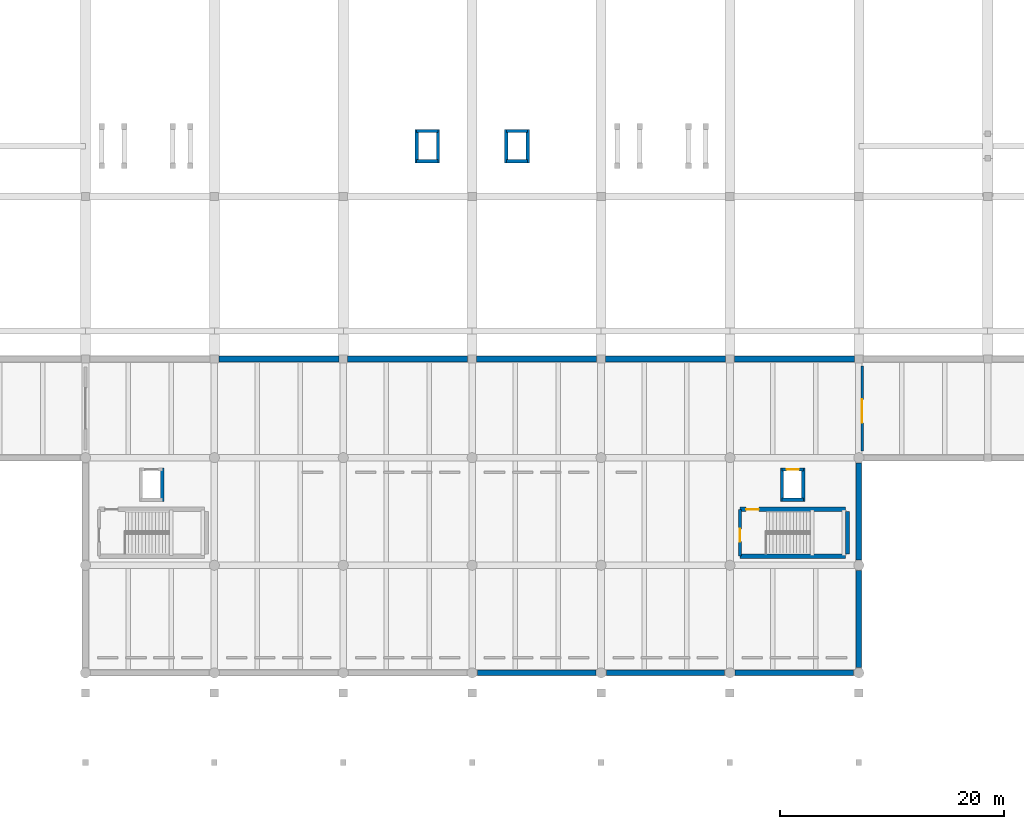
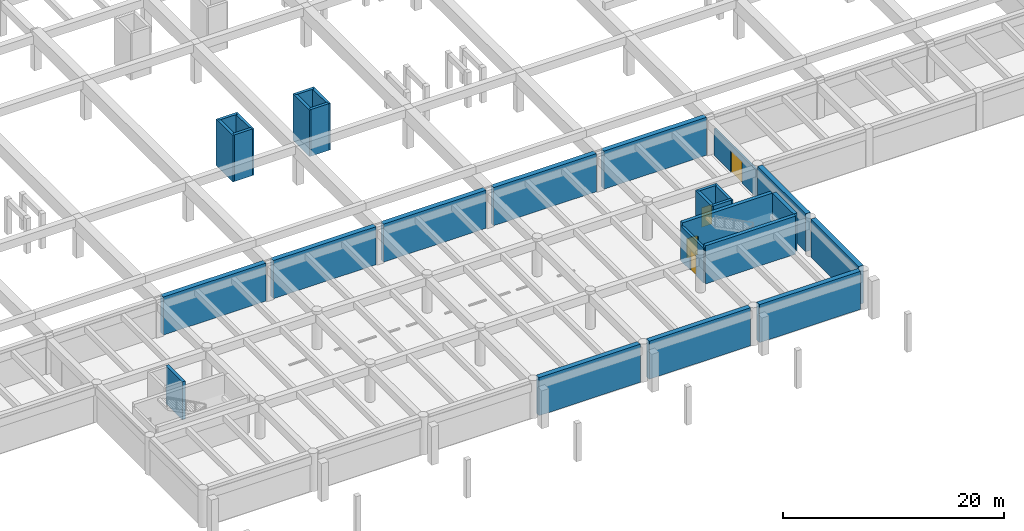
# One storey, part 10 of 20: 28 walls, 4 doors, 4 openings.
"""IFC4 building model written with IfcOpenShell, lengths in metres."""

from ifc_helpers import new_model, si_unit, direction, frame, frame_2d, origin, place, context, subcontext, project, spatial, rectangle, extrude, material, layer, layer_set, type_object, element, fill, save


model = new_model("IFC4")

# Units and contexts
model_context = context("Model", 3, precision=1e-05, world=origin(), true_north=direction((0.0, 1.0)))
body_context = subcontext(model_context, "Body", "Model", "MODEL_VIEW")
ifc_project = project(units=[si_unit("LENGTHUNIT", "METRE"), si_unit("AREAUNIT", "SQUARE_METRE"), si_unit("VOLUMEUNIT", "CUBIC_METRE"), si_unit("PLANEANGLEUNIT", "RADIAN"), si_unit("MASSUNIT", "GRAM", prefix="KILO")], contexts=[model_context])

# Site, building, storey
site_placement = place(None, origin())
site = spatial("IfcSite", under=ifc_project, at=site_placement, CompositionType="ELEMENT")
building_placement = place(site_placement, origin())
building = spatial("IfcBuilding", under=site, at=building_placement, Name="Ologun Quay Terminus", CompositionType="ELEMENT")
storey_placement = place(building_placement, frame((0.0, 0.0, -4.199951171875)))
storey = spatial("IfcBuildingStorey", under=building, at=storey_placement, Name="B01", CompositionType="ELEMENT", Elevation=-4.199951171875)

# Walls
ifc_material_1 = material(Name="Concrete C35/45", Category="concrete")
ifc_layer_1 = layer(ifc_material_1, 0.5)
ifc_layer_set_1 = layer_set([ifc_layer_1], Name="Concrete C35/45")
wall_type_1 = type_object("IfcWallType", Name="Basement Perimeter Retaining Wall 500", PredefinedType="SHEAR", material=ifc_layer_set_1)
for number, where, z_axis, x_axis, name in (
    (1, (92.469970703125, 8.0, 0.0), (0.0, 0.0, 1.0), (1.0, 0.0, 0.0), "Retaining Wall S5-9 B01"),
    (2, (103.969970703125, 8.0, 0.0), (0.0, 0.0, 1.0), (1.0, 0.0, 0.0), "Retaining Wall S5-10 B01"),
    (3, (115.469970703125, 8.0, 0.0), (0.0, 0.0, 1.0), (1.0, 0.0, 0.0), "Retaining Wall S5-11 B01"),
):
    element("IfcWall", number, at=place(storey_placement, frame(where, z_axis=z_axis, x_axis=x_axis)), inside=storey, type_object=wall_type_1, Name=name, PredefinedType="SHEAR", context=body_context, shape_type="SweptSolid", body=[
        extrude(rectangle(XDim=10.56005859375, YDim=0.5, at=frame_2d((5.280029296875, 0.0))), origin(), (0.0, 0.0, 1.0), 4.199951171875),
    ])
for number, where, z_axis, x_axis, name in (
    (4, (126.5, 8.469970703125, 0.0), (0.0, 0.0, 1.0), (0.0, 1.0, 0.0), "Retaining Wall S6-Y1 B01"),
    (5, (126.5, 18.070068359375, 0.0), (0.0, 0.0, 1.0), (0.0, 1.0, 0.0), "Retaining Wall S6-Y2 B01"),
):
    element("IfcWall", number, at=place(storey_placement, frame(where, z_axis=z_axis, x_axis=x_axis)), inside=storey, type_object=wall_type_1, Name=name, PredefinedType="SHEAR", context=body_context, shape_type="SweptSolid", body=[
        extrude(rectangle(XDim=8.659912109375, YDim=0.5, at=frame_2d((4.330078125, 0.0))), origin(), (0.0, 0.0, 1.0), 4.199951171875),
    ])
for number, where, z_axis, x_axis, name in (
    (6, (69.39501953125, 36.0, 0.0), (0.0, 0.0, 1.0), (1.0, 0.0, 0.0), "Retaining Wall TS-7 B01"),
    (7, (80.89501953125, 36.0, 0.0), (0.0, 0.0, 1.0), (1.0, 0.0, 0.0), "Retaining Wall TS-8 B01"),
    (8, (92.39501953125, 36.0, 0.0), (0.0, 0.0, 1.0), (1.0, 0.0, 0.0), "Retaining Wall TS-9 B01"),
    (9, (103.89501953125, 36.0, 0.0), (0.0, 0.0, 1.0), (1.0, 0.0, 0.0), "Retaining Wall TS-10 B01"),
    (10, (115.39501953125, 36.0, 0.0), (0.0, 0.0, 1.0), (1.0, 0.0, 0.0), "Retaining Wall TS-11 B01"),
):
    element("IfcWall", number, at=place(storey_placement, frame(where, z_axis=z_axis, x_axis=x_axis)), inside=storey, type_object=wall_type_1, Name=name, PredefinedType="SHEAR", context=body_context, shape_type="SweptSolid", body=[
        extrude(rectangle(XDim=10.7099609375, YDim=0.5, at=frame_2d((5.35498046875, 0.0))), origin(), (0.0, 0.0, 1.0), 4.199951171875),
    ])

# Wall, opening, door
ifc_material_2 = material(Name="Concrete C40/50", Category="concrete")
ifc_layer_2 = layer(ifc_material_2, 0.239990234375)
ifc_layer_set_2 = layer_set([ifc_layer_2], Name="Concrete C40/50")
wall_type_2 = type_object("IfcWallType", Name="Fire Compartment Blockwork Wall 240", PredefinedType="SOLIDWALL", material=ifc_layer_set_2)
wall_1_placement = place(storey_placement, frame((115.89990234375, 18.419921875, 0.0), z_axis=(0.0, 0.0, 1.0), x_axis=(0.0, 1.0, 0.0)))
wall_1 = element("IfcWall", 11, at=wall_1_placement, inside=storey, type_object=wall_type_2, Name="PW-01 Partition ST-S4-W", PredefinedType="SOLIDWALL", context=body_context, shape_type="SweptSolid", body=[
    extrude(rectangle(XDim=4.16015625, YDim=0.239990234375, at=frame_2d((2.080078125, 0.0))), origin(), (0.0, 0.0, 1.0), 3.85986328125),
])
opening_1_placement = place(wall_1_placement, frame((1.300048828125, 0.0, 0.0)))
opening_1 = element("IfcOpeningElement", 12, at=opening_1_placement, cuts=wall_1, Name="Opening ID-263", PredefinedType="OPENING", context=body_context, shape_type="SweptSolid", body=[
    extrude(rectangle(XDim=1.1298828125, YDim=2.14990234375, at=frame_2d((0.56494140625, 1.074951171875))), frame((0.0, 0.1298828125, 0.0), z_axis=(0.0, -1.0, 0.0), x_axis=(1.0, 0.0, 0.0)), (0.0, 0.0, 1.0), 0.260009765625),
])
ifc_material_3 = material(Name="Steel S355", Category="steel")
door_type_1 = type_object("IfcDoorType", Name="Stairwell Fire Escape Door 1130x2150", OperationType="SINGLE_SWING_LEFT", PredefinedType="DOOR", material=ifc_material_3)
door_1_placement = place(opening_1_placement, frame((0.56494140625, 0.0, 0.0), z_axis=(0.0, 0.0, 1.0), x_axis=(-1.0, 0.0, 0.0)))
door_1 = element("IfcDoor", 13, at=door_1_placement, inside=storey, type_object=door_type_1, Name="FD-01 Door ID-263", OperationType="SINGLE_SWING_LEFT", OverallHeight=2.14990234375, OverallWidth=1.1298828125, PredefinedType="DOOR", context=body_context, shape_type="SweptSolid", body=[
    extrude(rectangle(XDim=1.1298828125, YDim=2.14990234375, at=frame_2d((0.0, 1.074951171875))), frame((0.0, 0.02490234375, 0.0), z_axis=(0.0, -1.0, 0.0), x_axis=(1.0, 0.0, 0.0)), (0.0, 0.0, 1.0), 0.050048828125),
])
fill(opening_1, door_1)

# Walls
ifc_material_4 = material(Name="Concrete C40/50", Category="concrete")
ifc_layer_3 = layer(ifc_material_4, 0.300048828125)
ifc_layer_set_3 = layer_set([ifc_layer_3], Name="Concrete C40/50")
wall_type_3 = type_object("IfcWallType", Name="Lift Shaft Structural Shear Wall 300", PredefinedType="SHEAR", material=ifc_layer_set_3)
wall_2_placement = place(storey_placement, frame((64.35009765625, 23.300048828125, 0.0), z_axis=(0.0, 0.0, 1.0), x_axis=(0.0, 1.0, 0.0)))
element("IfcWall", 14, at=wall_2_placement, inside=storey, type_object=wall_type_3, Name="Lift PL-S1 Shaft Wall E B01", PredefinedType="SHEAR", context=body_context, shape_type="SweptSolid", body=[
    extrude(rectangle(XDim=3.0, YDim=0.300048828125, at=frame_2d((1.5, 0.0))), origin(), (0.0, 0.0, 1.0), 4.199951171875),
])
wall_3_placement = place(storey_placement, frame((119.64990234375, 23.449951171875, 0.0), z_axis=(0.0, 0.0, 1.0), x_axis=(1.0, 0.0, 0.0)))
element("IfcWall", 15, at=wall_3_placement, inside=storey, type_object=wall_type_3, Name="Lift PL-S2 Shaft Wall S B01", PredefinedType="SHEAR", context=body_context, shape_type="SweptSolid", body=[
    extrude(rectangle(XDim=1.900146484375, YDim=0.300048828125, at=frame_2d((0.9501953125, 0.0))), origin(), (0.0, 0.0, 1.0), 4.199951171875),
])

# Wall, opening, door
wall_4_placement = place(storey_placement, frame((119.64990234375, 26.14990234375, 0.0), z_axis=(0.0, 0.0, 1.0), x_axis=(1.0, 0.0, 0.0)))
wall_4 = element("IfcWall", 16, at=wall_4_placement, inside=storey, type_object=wall_type_3, Name="Lift PL-S2 Shaft Wall N B01", PredefinedType="SHEAR", context=body_context, shape_type="SweptSolid", body=[
    extrude(rectangle(XDim=1.900146484375, YDim=0.300048828125, at=frame_2d((0.9501953125, 0.0))), origin(), (0.0, 0.0, 1.0), 4.199951171875),
])
opening_2_placement = place(wall_4_placement, frame((0.39990234375, 0.0, 0.0)))
opening_2 = element("IfcOpeningElement", 17, at=opening_2_placement, cuts=wall_4, Name="Opening ID-053", PredefinedType="OPENING", context=body_context, shape_type="SweptSolid", body=[
    extrude(rectangle(XDim=1.10009765625, YDim=2.14990234375, at=frame_2d((0.550048828125, 1.074951171875))), frame((0.0, 0.16015625, 0.0), z_axis=(0.0, -1.0, 0.0), x_axis=(1.0, 0.0, 0.0)), (0.0, 0.0, 1.0), 0.320068359375),
])
ifc_material_5 = material(Name="Steel S355", Category="steel")
door_type_2 = type_object("IfcDoorType", Name="Lift Landing Sliding Door 1100x2150", OperationType="SLIDING_TO_LEFT", PredefinedType="DOOR", material=ifc_material_5)
door_2_placement = place(opening_2_placement, origin())
door_2 = element("IfcDoor", 18, at=door_2_placement, inside=storey, type_object=door_type_2, Name="LD-01 Door ID-053", OperationType="SLIDING_TO_LEFT", OverallHeight=2.14990234375, OverallWidth=1.10009765625, PredefinedType="DOOR", context=body_context, shape_type="SweptSolid", body=[
    extrude(rectangle(XDim=1.10009765625, YDim=2.14990234375, at=frame_2d((0.550048828125, 1.074951171875))), frame((0.0, 0.02490234375, 0.0), z_axis=(0.0, -1.0, 0.0), x_axis=(1.0, 0.0, 0.0)), (0.0, 0.0, 1.0), 0.050048828125),
])
fill(opening_2, door_2)

# Walls
for number, where, z_axis, x_axis, name in (
    (19, (119.64990234375, 23.300048828125, 0.0), (0.0, 0.0, 1.0), (0.0, 1.0, 0.0), "Lift PL-S2 Shaft Wall W B01"),
    (20, (121.550048828125, 23.300048828125, 0.0), (0.0, 0.0, 1.0), (0.0, 1.0, 0.0), "Lift PL-S2 Shaft Wall E B01"),
):
    element("IfcWall", number, at=place(storey_placement, frame(where, z_axis=z_axis, x_axis=x_axis)), inside=storey, type_object=wall_type_3, Name=name, PredefinedType="SHEAR", context=body_context, shape_type="SweptSolid", body=[
        extrude(rectangle(XDim=3.0, YDim=0.300048828125, at=frame_2d((1.5, 0.0))), origin(), (0.0, 0.0, 1.0), 4.199951171875),
    ])
for number, where, z_axis, x_axis, name in (
    (21, (87.050048828125, 53.64990234375, 0.0), (0.0, 0.0, 1.0), (1.0, 0.0, 0.0), "Lift PL-P1 Shaft Wall S B01"),
    (22, (87.050048828125, 56.35009765625, 0.0), (0.0, 0.0, 1.0), (1.0, 0.0, 0.0), "Lift PL-P1 Shaft Wall N B01"),
):
    element("IfcWall", number, at=place(storey_placement, frame(where, z_axis=z_axis, x_axis=x_axis)), inside=storey, type_object=wall_type_3, Name=name, PredefinedType="SHEAR", context=body_context, shape_type="SweptSolid", body=[
        extrude(rectangle(XDim=1.89990234375, YDim=0.300048828125, at=frame_2d((0.949951171875, 0.0))), origin(), (0.0, 0.0, 1.0), 5.14990234375),
    ])
for number, where, z_axis, x_axis, name in (
    (23, (87.050048828125, 53.5, 0.0), (0.0, 0.0, 1.0), (0.0, 1.0, 0.0), "Lift PL-P1 Shaft Wall W B01"),
    (24, (88.949951171875, 53.5, 0.0), (0.0, 0.0, 1.0), (0.0, 1.0, 0.0), "Lift PL-P1 Shaft Wall E B01"),
):
    element("IfcWall", number, at=place(storey_placement, frame(where, z_axis=z_axis, x_axis=x_axis)), inside=storey, type_object=wall_type_3, Name=name, PredefinedType="SHEAR", context=body_context, shape_type="SweptSolid", body=[
        extrude(rectangle(XDim=3.0, YDim=0.300048828125, at=frame_2d((1.5, 0.0))), origin(), (0.0, 0.0, 1.0), 5.14990234375),
    ])
for number, where, z_axis, x_axis, name in (
    (25, (95.050048828125, 53.64990234375, 0.0), (0.0, 0.0, 1.0), (1.0, 0.0, 0.0), "Lift PL-P2 Shaft Wall S B01"),
    (26, (95.050048828125, 56.35009765625, 0.0), (0.0, 0.0, 1.0), (1.0, 0.0, 0.0), "Lift PL-P2 Shaft Wall N B01"),
):
    element("IfcWall", number, at=place(storey_placement, frame(where, z_axis=z_axis, x_axis=x_axis)), inside=storey, type_object=wall_type_3, Name=name, PredefinedType="SHEAR", context=body_context, shape_type="SweptSolid", body=[
        extrude(rectangle(XDim=1.89990234375, YDim=0.300048828125, at=frame_2d((0.949951171875, 0.0))), origin(), (0.0, 0.0, 1.0), 5.14990234375),
    ])
for number, where, z_axis, x_axis, name in (
    (27, (95.050048828125, 53.5, 0.0), (0.0, 0.0, 1.0), (0.0, 1.0, 0.0), "Lift PL-P2 Shaft Wall W B01"),
    (28, (96.949951171875, 53.5, 0.0), (0.0, 0.0, 1.0), (0.0, 1.0, 0.0), "Lift PL-P2 Shaft Wall E B01"),
):
    element("IfcWall", number, at=place(storey_placement, frame(where, z_axis=z_axis, x_axis=x_axis)), inside=storey, type_object=wall_type_3, Name=name, PredefinedType="SHEAR", context=body_context, shape_type="SweptSolid", body=[
        extrude(rectangle(XDim=3.0, YDim=0.300048828125, at=frame_2d((1.5, 0.0))), origin(), (0.0, 0.0, 1.0), 5.14990234375),
    ])

# Wall, opening, door
ifc_material_6 = material(Name="Concrete C40/50", Category="concrete")
ifc_layer_4 = layer(ifc_material_6, 0.219970703125)
ifc_layer_set_4 = layer_set([ifc_layer_4], Name="Concrete C40/50")
wall_type_4 = type_object("IfcWallType", Name="Plant & Substation Acoustic Wall 220", PredefinedType="SOLIDWALL", material=ifc_layer_set_4)
wall_5_placement = place(storey_placement, frame((126.800048828125, 27.800048828125, 0.0), z_axis=(0.0, 0.0, 1.0), x_axis=(0.0, 1.0, 0.0)))
wall_5 = element("IfcWall", 29, at=wall_5_placement, inside=storey, type_object=wall_type_4, Name="PW-08 Partition B01-Substation-W", PredefinedType="SOLIDWALL", context=body_context, shape_type="SweptSolid", body=[
    extrude(rectangle(XDim=7.599853515625, YDim=0.219970703125, at=frame_2d((3.7998046875, 0.0))), origin(), (0.0, 0.0, 1.0), 2.97998046875),
])
opening_3_placement = place(wall_5_placement, frame((2.5, 0.0, 0.0)))
opening_3 = element("IfcOpeningElement", 30, at=opening_3_placement, cuts=wall_5, Name="Opening ID-292", PredefinedType="OPENING", context=body_context, shape_type="SweptSolid", body=[
    extrude(rectangle(XDim=2.10009765625, YDim=2.39990234375, at=frame_2d((1.050048828125, 1.199951171875))), frame((0.0, 0.1201171875, 0.0), z_axis=(0.0, -1.0, 0.0), x_axis=(1.0, 0.0, 0.0)), (0.0, 0.0, 1.0), 0.239990234375),
])
ifc_material_7 = material(Name="Steel S355", Category="steel")
door_type_3 = type_object("IfcDoorType", Name="Substation Transformer Bay Door 2100x2400", OperationType="DOUBLE_DOOR_SINGLE_SWING", PredefinedType="DOOR", material=ifc_material_7)
door_3_placement = place(opening_3_placement, origin())
door_3 = element("IfcDoor", 31, at=door_3_placement, inside=storey, type_object=door_type_3, Name="FD-07 Door ID-292", OperationType="DOUBLE_DOOR_SINGLE_SWING", OverallHeight=2.39990234375, OverallWidth=2.10009765625, PredefinedType="DOOR", context=body_context, shape_type="SweptSolid", body=[
    extrude(rectangle(XDim=2.10009765625, YDim=2.39990234375, at=frame_2d((1.050048828125, 1.199951171875))), frame((0.0, 0.02490234375, 0.0), z_axis=(0.0, -1.0, 0.0), x_axis=(1.0, 0.0, 0.0)), (0.0, 0.0, 1.0), 0.050048828125),
])
fill(opening_3, door_3)

# Wall
ifc_material_8 = material(Name="Concrete C40/50", Category="concrete")
ifc_layer_5 = layer(ifc_material_8, 0.3798828125)
ifc_layer_set_5 = layer_set([ifc_layer_5], Name="Concrete C40/50")
wall_type_5 = type_object("IfcWallType", Name="Platform Spine Shear Wall 380", PredefinedType="SHEAR", material=ifc_layer_set_5)
wall_6_placement = place(storey_placement, frame((115.89990234375, 18.409912109375, 0.0), z_axis=(0.0, 0.0, 1.0), x_axis=(1.0, 0.0, 0.0)))
element("IfcWall", 32, at=wall_6_placement, inside=storey, type_object=wall_type_5, Name="Station Core 4 S Shear Wall B01", PredefinedType="SHEAR", context=body_context, shape_type="SweptSolid", body=[
    extrude(rectangle(XDim=9.400146484375, YDim=0.3798828125, at=frame_2d((4.7001953125, 0.0))), origin(), (0.0, 0.0, 1.0), 4.199951171875),
])

# Wall, opening, door
wall_7_placement = place(storey_placement, frame((115.89990234375, 22.590087890625, 0.0), z_axis=(0.0, 0.0, 1.0), x_axis=(1.0, 0.0, 0.0)))
wall_7 = element("IfcWall", 33, at=wall_7_placement, inside=storey, type_object=wall_type_5, Name="Station Core 4 N Shear Wall B01", PredefinedType="SHEAR", context=body_context, shape_type="SweptSolid", body=[
    extrude(rectangle(XDim=9.400146484375, YDim=0.3798828125, at=frame_2d((4.7001953125, 0.0))), origin(), (0.0, 0.0, 1.0), 4.199951171875),
])
opening_4_placement = place(wall_7_placement, frame((0.550048828125, 0.0, 0.0)))
opening_4 = element("IfcOpeningElement", 34, at=opening_4_placement, cuts=wall_7, Name="Opening ID-264", PredefinedType="OPENING", context=body_context, shape_type="SweptSolid", body=[
    extrude(rectangle(XDim=1.1298828125, YDim=2.14990234375, at=frame_2d((0.56494140625, 1.074951171875))), frame((0.0, 0.199951171875, 0.0), z_axis=(0.0, -1.0, 0.0), x_axis=(1.0, 0.0, 0.0)), (0.0, 0.0, 1.0), 0.39990234375),
])
door_4_placement = place(opening_4_placement, frame((0.56494140625, 0.0, 0.0), z_axis=(0.0, 0.0, 1.0), x_axis=(-1.0, 0.0, 0.0)))
door_4 = element("IfcDoor", 35, at=door_4_placement, inside=storey, type_object=door_type_1, Name="FD-01 Door ID-264", OperationType="SINGLE_SWING_LEFT", OverallHeight=2.14990234375, OverallWidth=1.1298828125, PredefinedType="DOOR", context=body_context, shape_type="SweptSolid", body=[
    extrude(rectangle(XDim=1.1298828125, YDim=2.14990234375, at=frame_2d((0.0, 1.074951171875))), frame((0.0, 0.02490234375, 0.0), z_axis=(0.0, -1.0, 0.0), x_axis=(1.0, 0.0, 0.0)), (0.0, 0.0, 1.0), 0.050048828125),
])
fill(opening_4, door_4)

# Wall
wall_8_placement = place(storey_placement, frame((125.489990234375, 18.60009765625, 0.0), z_axis=(0.0, 0.0, 1.0), x_axis=(0.0, 1.0, 0.0)))
element("IfcWall", 36, at=wall_8_placement, inside=storey, type_object=wall_type_5, Name="Station Core 4 E Shear Wall B01", PredefinedType="SHEAR", context=body_context, shape_type="SweptSolid", body=[
    extrude(rectangle(XDim=3.7998046875, YDim=0.3798828125, at=frame_2d((1.89990234375, 0.0))), origin(), (0.0, 0.0, 1.0), 4.199951171875),
])

save(model, "model.ifc")
